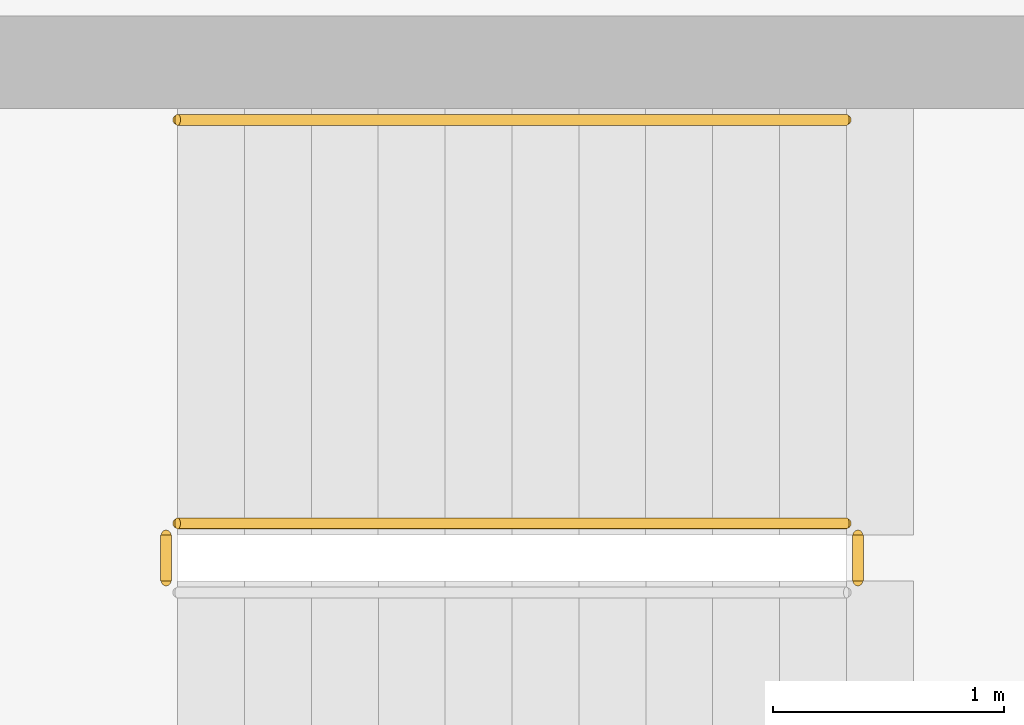
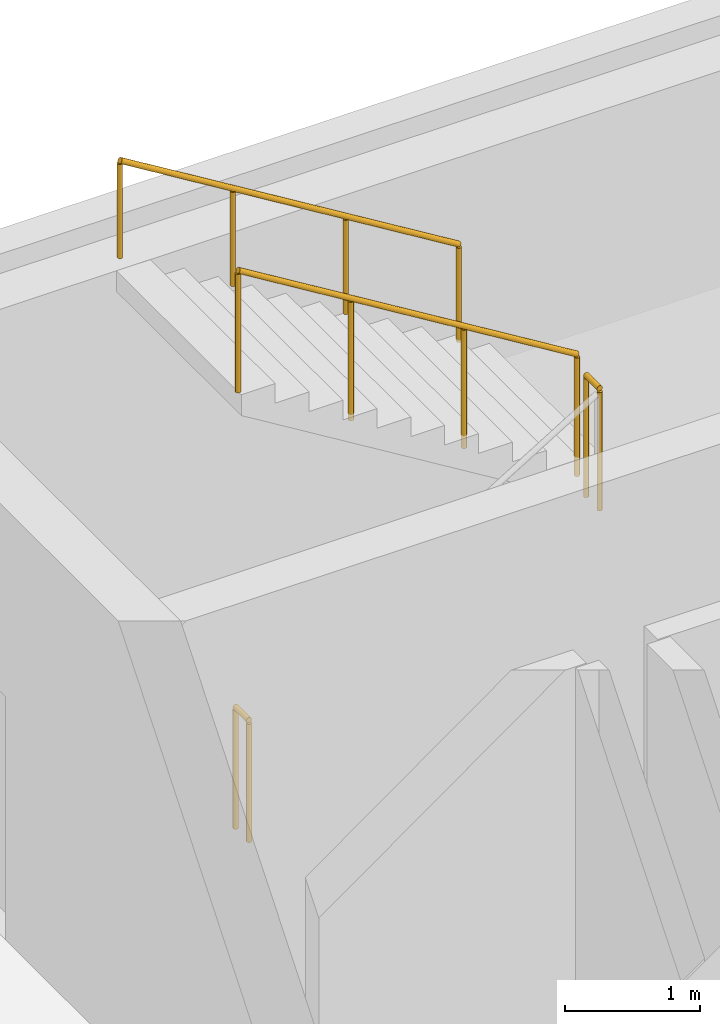
# One storey, part 56 of 59: 4 railings.
"""IFC4 building model written with IfcOpenShell, lengths in metres."""

from ifc_helpers import new_model, si_unit, direction, frame, origin, origin_2d, place, context, subcontext, project, spatial, circle, extrude, material, type_object, element, save


model = new_model("IFC4")

# Units and contexts
model_context = context("Model", 3, precision=1e-05, world=origin(), true_north=direction((0.0, 1.0)))
body_context = subcontext(model_context, "Body", "Model", "MODEL_VIEW")
ifc_project = project(units=[si_unit("LENGTHUNIT", "METRE"), si_unit("AREAUNIT", "SQUARE_METRE"), si_unit("VOLUMEUNIT", "CUBIC_METRE"), si_unit("PLANEANGLEUNIT", "RADIAN"), si_unit("MASSUNIT", "GRAM", prefix="KILO")], contexts=[model_context])

# Site, building, storey
site_placement = place(None, origin())
site = spatial("IfcSite", under=ifc_project, at=site_placement, CompositionType="ELEMENT")
building_placement = place(site_placement, origin())
building = spatial("IfcBuilding", under=site, at=building_placement, Name="Sollismere Congress Hotel", CompositionType="ELEMENT")
storey_placement = place(building_placement, frame((0.0, 0.0, 15.60009765625)))
storey = spatial("IfcBuildingStorey", under=building, at=storey_placement, Name="L03", CompositionType="ELEMENT", Elevation=15.60009765625)

# Railings
ifc_material_1 = material(Name="Steel ASTM A500 Grade C", Category="steel")
railing_type_1 = type_object("IfcRailingType", Name="RL-GRD112", PredefinedType="GUARDRAIL", material=ifc_material_1)
railing_1_placement = place(storey_placement, frame((98.800048828125, 16.300048828125, 1.949951171875)))
element("IfcRailing", 1, at=railing_1_placement, inside=storey, type_object=railing_type_1, Name="RLG-RG-ST-02-L03-2", PredefinedType="GUARDRAIL", context=body_context, shape_type="SweptSolid", body=[
    extrude(circle(Radius=0.02392578125, at=origin_2d()), frame((0.0, 0.0, 1.09619140625), z_axis=(0.0, 1.0, 0.0), x_axis=(-1.0, 0.0, 0.0)), (0.0, 0.0, 1.0), 0.199951171875),
    extrude(circle(Radius=0.02099609375, at=origin_2d()), origin(), (0.0, 0.0, 1.0), 1.072021484375),
    extrude(circle(Radius=0.02099609375, at=origin_2d()), frame((0.0, 0.199951171875, 0.0)), (0.0, 0.0, 1.0), 1.072021484375),
])
railing_2_placement = place(storey_placement, frame((98.75, 16.550048828125, 2.127197265625)))
element("IfcRailing", 2, at=railing_2_placement, inside=storey, type_object=railing_type_1, Name="RLG-RG-ST-02-L03-3", PredefinedType="GUARDRAIL", context=body_context, shape_type="SweptSolid", body=[
    extrude(circle(Radius=0.02392578125, at=origin_2d()), frame((0.0, 0.0, 1.09619140625), z_axis=(-0.853210801645, 0.0, 0.521566225858), x_axis=(0.0, -1.0, 0.0)), (0.0, 0.0, 1.0), 3.39892578125),
    extrude(circle(Radius=0.02099609375, at=origin_2d()), origin(), (0.0, 0.0, 1.0), 1.072021484375),
    extrude(circle(Radius=0.02099609375, at=origin_2d()), frame((-0.966552734375, 0.0, 0.5908203125)), (0.0, 0.0, 1.0), 1.072021484375),
    extrude(circle(Radius=0.02099609375, at=origin_2d()), frame((-1.933349609375, 0.0, 1.181884765625)), (0.0, 0.0, 1.0), 1.072021484375),
    extrude(circle(Radius=0.02099609375, at=origin_2d()), frame((-2.89990234375, 0.0, 1.772705078125)), (0.0, 0.0, 1.0), 1.072021484375),
])
railing_3_placement = place(storey_placement, frame((95.800048828125, 16.300048828125, 0.0)))
element("IfcRailing", 3, at=railing_3_placement, inside=storey, type_object=railing_type_1, Name="RLG-RG-ST-02-L03-4", PredefinedType="GUARDRAIL", context=body_context, shape_type="SweptSolid", body=[
    extrude(circle(Radius=0.02392578125, at=origin_2d()), frame((0.0, 0.0, 1.09619140625), z_axis=(0.0, 1.0, 0.0), x_axis=(-1.0, 0.0, 0.0)), (0.0, 0.0, 1.0), 0.199951171875),
    extrude(circle(Radius=0.02099609375, at=origin_2d()), origin(), (0.0, 0.0, 1.0), 1.072021484375),
    extrude(circle(Radius=0.02099609375, at=origin_2d()), frame((0.0, 0.199951171875, 0.0)), (0.0, 0.0, 1.0), 1.072021484375),
])
ifc_material_2 = material(Name="Brushed Architectural Bronze")
railing_type_2 = type_object("IfcRailingType", Name="RL-HND90", PredefinedType="HANDRAIL", material=ifc_material_2)
railing_4_placement = place(storey_placement, frame((98.75, 18.300048828125, 2.280517578125)))
element("IfcRailing", 4, at=railing_4_placement, inside=storey, type_object=railing_type_2, Name="RLG-RH-ST-02-L03-2", PredefinedType="HANDRAIL", context=body_context, shape_type="SweptSolid", body=[
    extrude(circle(Radius=0.02392578125, at=origin_2d()), frame((0.0, 0.0, 0.8759765625), z_axis=(-0.853210801645, 0.0, 0.521566225858), x_axis=(0.0, -1.0, 0.0)), (0.0, 0.0, 1.0), 3.39892578125),
    extrude(circle(Radius=0.02099609375, at=origin_2d()), origin(), (0.0, 0.0, 1.0), 0.851806640625),
    extrude(circle(Radius=0.02099609375, at=origin_2d()), frame((-0.966552734375, 0.0, 0.5908203125)), (0.0, 0.0, 1.0), 0.851806640625),
    extrude(circle(Radius=0.02099609375, at=origin_2d()), frame((-1.933349609375, 0.0, 1.181884765625)), (0.0, 0.0, 1.0), 0.851806640625),
    extrude(circle(Radius=0.02099609375, at=origin_2d()), frame((-2.89990234375, 0.0, 1.772705078125)), (0.0, 0.0, 1.0), 0.851806640625),
])

save(model, "model.ifc")
